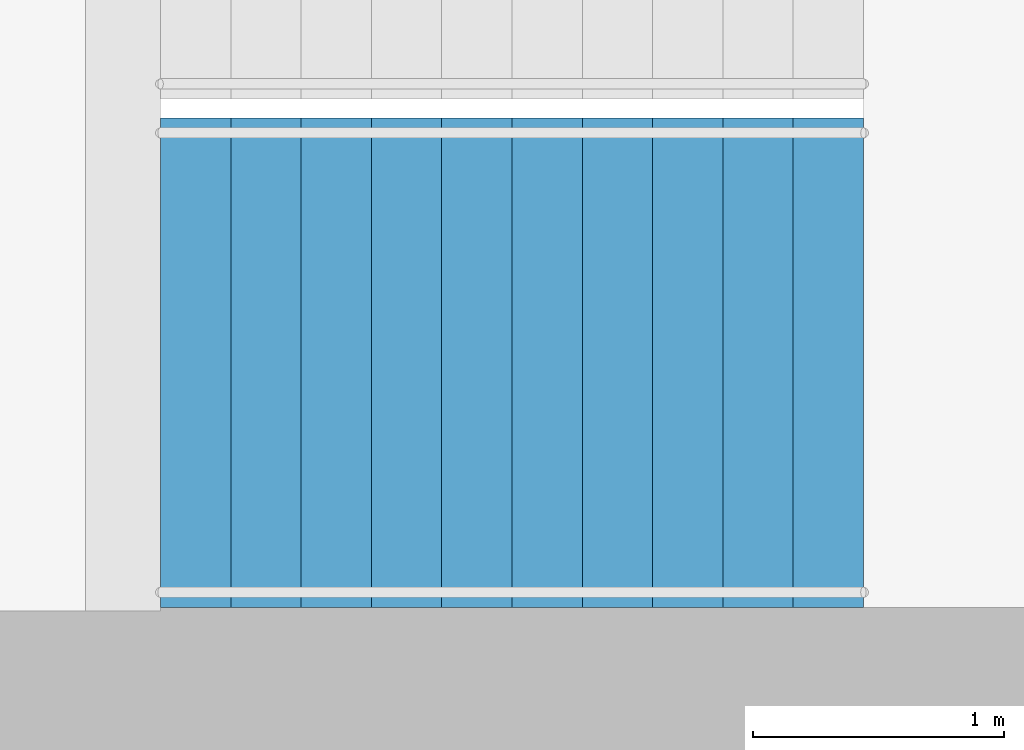
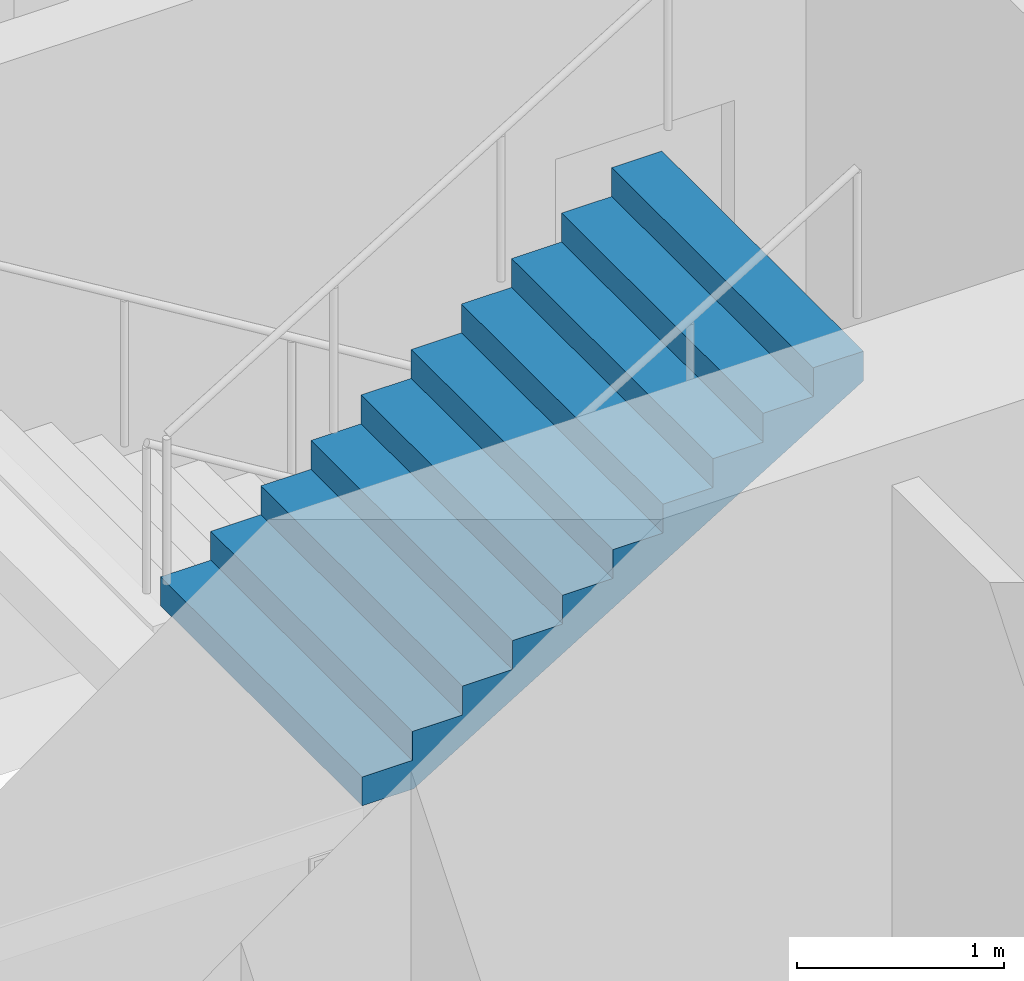
# One storey, part 22 of 25: 1 stair flight, 1 element without a shape of its own.
"""IFC4 building model written with IfcOpenShell, lengths in metres."""

from ifc_helpers import new_model, si_unit, direction, frame, origin, place, context, subcontext, project, spatial, triangles, material, type_object, element, aggregate, save


model = new_model("IFC4")

# Units and contexts
model_context = context("Model", 3, precision=1e-05, world=origin(), true_north=direction((0.0, 1.0)))
body_context = subcontext(model_context, "Body", "Model", "MODEL_VIEW")
ifc_project = project(units=[si_unit("LENGTHUNIT", "METRE"), si_unit("AREAUNIT", "SQUARE_METRE"), si_unit("VOLUMEUNIT", "CUBIC_METRE"), si_unit("PLANEANGLEUNIT", "RADIAN"), si_unit("MASSUNIT", "GRAM", prefix="KILO")], contexts=[model_context])

# Site, building, storey
site_placement = place(None, origin())
site = spatial("IfcSite", under=ifc_project, at=site_placement, CompositionType="ELEMENT")
building_placement = place(site_placement, origin())
building = spatial("IfcBuilding", under=site, at=building_placement, Name="Orbita Commons", CompositionType="ELEMENT")
storey_placement = place(building_placement, frame((0.0, 0.0, 99.39990234375)))
storey = spatial("IfcBuildingStorey", under=building, at=storey_placement, Name="L24", CompositionType="ELEMENT", Elevation=99.39990234375)

# Stair, stair flight
ifc_material_1 = material(Name="Precast concrete C40/50", Category="concrete")
stair_type = type_object("IfcStairType", Name="Exit stair S2 2 flights 11 risers 170", PredefinedType="HALF_TURN_STAIR", material=ifc_material_1)
stair_placement = place(storey_placement, origin())
stair = element("IfcStair", 1, at=stair_placement, inside=storey, type_object=stair_type, Name="Exit stair S2 L24", PredefinedType="HALF_TURN_STAIR")
ifc_material_2 = material(Name="Precast concrete C40/50", Category="concrete")
stair_flight_type = type_object("IfcStairFlightType", Name="Stair flight 11 risers 170 x 280", PredefinedType="STRAIGHT", material=ifc_material_2)
stair_flight_placement = place(storey_placement, frame((60.75, 27.25, 1.875), z_axis=(0.0, 0.0, 1.0), x_axis=(1.0, 0.0, 0.0)))
stair_flight = element("IfcStairFlight", 2, at=stair_flight_placement, type_object=stair_flight_type, Name="S2 flight 2", NumberOfRisers=11, NumberOfTreads=10, PredefinedType="STRAIGHT", RiserHeight=0.170454545, TreadLength=0.28, context=body_context, shape_type="Tessellation", body=[
    triangles([(0.0, 0.974976, 0.0), (0.0, 0.974976, 0.021307), (0.0, 0.81248, 0.021307), (0.0, 0.81248, 0.0), (0.0, 0.649984, 0.021307), (0.0, 0.649984, 0.0), (0.0, 0.487488, 0.021307), (0.0, 0.487488, 0.0), (0.0, 0.324992, 0.021307), (0.0, 0.324992, 0.0), (0.0, 0.162496, 0.021307), (0.0, 0.162496, 0.0), (0.0, 0.0, 0.021307), (0.0, 0.0, 0.0), (0.0, -0.162496, 0.021307), (0.0, -0.162496, 0.0), (0.0, -0.324992, 0.021307), (0.0, -0.324992, 0.0), (0.0, -0.487488, 0.021307), (0.0, -0.487488, 0.0), (0.0, -0.649984, 0.021307), (0.0, -0.649984, 0.0), (0.0, -0.81248, 0.021307), (0.0, -0.81248, 0.0), (0.0, -0.974976, 0.021307), (0.0, -0.974976, 0.0), (0.0, 0.974976, 0.042614), (0.0, 0.81248, 0.042614), (0.0, 0.649984, 0.042614), (0.0, 0.487488, 0.042614), (0.0, 0.324992, 0.042614), (0.0, 0.162496, 0.042614), (0.0, 0.0, 0.042614), (0.0, -0.162496, 0.042614), (0.0, -0.324992, 0.042614), (0.0, -0.487488, 0.042614), (0.0, -0.649984, 0.042614), (0.0, -0.81248, 0.042614), (0.0, -0.974976, 0.042614), (0.0, 0.974976, 0.06392), (0.0, 0.81248, 0.06392), (0.0, 0.649984, 0.06392), (0.0, 0.487488, 0.06392), (0.0, 0.324992, 0.06392), (0.0, 0.162496, 0.06392), (0.0, 0.0, 0.06392), (0.0, -0.162496, 0.06392), (0.0, -0.324992, 0.06392), (0.0, -0.487488, 0.06392), (0.0, -0.649984, 0.06392), (0.0, -0.81248, 0.06392), (0.0, -0.974976, 0.06392), (0.0, 0.974976, 0.085227), (0.0, 0.81248, 0.085227), (0.0, 0.649984, 0.085227), (0.0, 0.487488, 0.085227), (0.0, 0.324992, 0.085227), (0.0, 0.162496, 0.085227), (0.0, 0.0, 0.085227), (0.0, -0.162496, 0.085227), (0.0, -0.324992, 0.085227), (0.0, -0.487488, 0.085227), (0.0, -0.649984, 0.085227), (0.0, -0.81248, 0.085227), (0.0, -0.974976, 0.085227), (0.0, 0.974976, 0.106534), (0.0, 0.81248, 0.106534), (0.0, 0.649984, 0.106534), (0.0, 0.487488, 0.106534), (0.0, 0.324992, 0.106534), (0.0, 0.162496, 0.106534), (0.0, 0.0, 0.106534), (0.0, -0.162496, 0.106534), (0.0, -0.324992, 0.106534), (0.0, -0.487488, 0.106534), (0.0, -0.649984, 0.106534), (0.0, -0.81248, 0.106534), (0.0, -0.974976, 0.106534), (0.0, 0.974976, 0.127841), (0.0, 0.81248, 0.127841), (0.0, 0.649984, 0.127841), (0.0, 0.487488, 0.127841), (0.0, 0.324992, 0.127841), (0.0, 0.162496, 0.127841), (0.0, 0.0, 0.127841), (0.0, -0.162496, 0.127841), (0.0, -0.324992, 0.127841), (0.0, -0.487488, 0.127841), (0.0, -0.649984, 0.127841), (0.0, -0.81248, 0.127841), (0.0, -0.974976, 0.127841), (0.0, 0.974976, 0.149148), (0.0, 0.81248, 0.149148), (0.0, 0.649984, 0.149148), (0.0, 0.487488, 0.149148), (0.0, 0.324992, 0.149148), (0.0, 0.162496, 0.149148), (0.0, 0.0, 0.149148), (0.0, -0.162496, 0.149148), (0.0, -0.324992, 0.149148), (0.0, -0.487488, 0.149148), (0.0, -0.649984, 0.149148), (0.0, -0.81248, 0.149148), (0.0, -0.974976, 0.149148), (0.0, 0.974976, 0.170455), (0.0, 0.81248, 0.170455), (0.0, 0.649984, 0.170455), (0.0, 0.487488, 0.170455), (0.0, 0.324992, 0.170455), (0.0, 0.162496, 0.170455), (0.0, 0.0, 0.170455), (0.0, -0.162496, 0.170455), (0.0, -0.324992, 0.170455), (0.0, -0.487488, 0.170455), (0.0, -0.649984, 0.170455), (0.0, -0.81248, 0.170455), (0.0, -0.974976, 0.170455), (0.28, 0.974976, 0.170455), (0.28, 0.81248, 0.170455), (0.28, 0.649984, 0.170455), (0.28, 0.487488, 0.170455), (0.28, 0.324992, 0.170455), (0.28, 0.162496, 0.170455), (0.28, 0.0, 0.170455), (0.28, -0.162496, 0.170455), (0.28, -0.324992, 0.170455), (0.28, -0.487488, 0.170455), (0.28, -0.649984, 0.170455), (0.28, -0.81248, 0.170455), (0.28, -0.974976, 0.170455), (0.28, 0.974976, 0.340909), (0.28, 0.81248, 0.340909), (0.28, 0.649984, 0.340909), (0.28, 0.487488, 0.340909), (0.28, 0.324992, 0.340909), (0.28, 0.162496, 0.340909), (0.28, 0.0, 0.340909), (0.28, -0.162496, 0.340909), (0.28, -0.324992, 0.340909), (0.28, -0.487488, 0.340909), (0.28, -0.649984, 0.340909), (0.28, -0.81248, 0.340909), (0.28, -0.974976, 0.340909), (0.56, 0.974976, 0.340909), (0.56, 0.81248, 0.340909), (0.56, 0.649984, 0.340909), (0.56, 0.487488, 0.340909), (0.56, 0.324992, 0.340909), (0.56, 0.162496, 0.340909), (0.56, 0.0, 0.340909), (0.56, -0.162496, 0.340909), (0.56, -0.324992, 0.340909), (0.56, -0.487488, 0.340909), (0.56, -0.649984, 0.340909), (0.56, -0.81248, 0.340909), (0.56, -0.974976, 0.340909), (0.56, 0.974976, 0.511364), (0.56, 0.81248, 0.511364), (0.56, 0.649984, 0.511364), (0.56, 0.487488, 0.511364), (0.56, 0.324992, 0.511364), (0.56, 0.162496, 0.511364), (0.56, 0.0, 0.511364), (0.56, -0.162496, 0.511364), (0.56, -0.324992, 0.511364), (0.56, -0.487488, 0.511364), (0.56, -0.649984, 0.511364), (0.56, -0.81248, 0.511364), (0.56, -0.974976, 0.511364), (0.84, 0.974976, 0.511364), (0.84, 0.81248, 0.511364), (0.84, 0.649984, 0.511364), (0.84, 0.487488, 0.511364), (0.84, 0.324992, 0.511364), (0.84, 0.162496, 0.511364), (0.84, 0.0, 0.511364), (0.84, -0.162496, 0.511364), (0.84, -0.324992, 0.511364), (0.84, -0.487488, 0.511364), (0.84, -0.649984, 0.511364), (0.84, -0.81248, 0.511364), (0.84, -0.974976, 0.511364), (0.84, 0.974976, 0.681818), (0.84, 0.81248, 0.681818), (0.84, 0.649984, 0.681818), (0.84, 0.487488, 0.681818), (0.84, 0.324992, 0.681818), (0.84, 0.162496, 0.681818), (0.84, 0.0, 0.681818), (0.84, -0.162496, 0.681818), (0.84, -0.324992, 0.681818), (0.84, -0.487488, 0.681818), (0.84, -0.649984, 0.681818), (0.84, -0.81248, 0.681818), (0.84, -0.974976, 0.681818), (1.12, 0.974976, 0.681818), (1.12, 0.81248, 0.681818), (1.12, 0.649984, 0.681818), (1.12, 0.487488, 0.681818), (1.12, 0.324992, 0.681818), (1.12, 0.162496, 0.681818), (1.12, 0.0, 0.681818), (1.12, -0.162496, 0.681818), (1.12, -0.324992, 0.681818), (1.12, -0.487488, 0.681818), (1.12, -0.649984, 0.681818), (1.12, -0.81248, 0.681818), (1.12, -0.974976, 0.681818), (1.12, 0.974976, 0.852273), (1.12, 0.81248, 0.852273), (1.12, 0.649984, 0.852273), (1.12, 0.487488, 0.852273), (1.12, 0.324992, 0.852273), (1.12, 0.162496, 0.852273), (1.12, 0.0, 0.852273), (1.12, -0.162496, 0.852273), (1.12, -0.324992, 0.852273), (1.12, -0.487488, 0.852273), (1.12, -0.649984, 0.852273), (1.12, -0.81248, 0.852273), (1.12, -0.974976, 0.852273), (1.4, 0.974976, 0.852273), (1.4, 0.81248, 0.852273), (1.4, 0.649984, 0.852273), (1.4, 0.487488, 0.852273), (1.4, 0.324992, 0.852273), (1.4, 0.162496, 0.852273), (1.4, 0.0, 0.852273), (1.4, -0.162496, 0.852273), (1.4, -0.324992, 0.852273), (1.4, -0.487488, 0.852273), (1.4, -0.649984, 0.852273), (1.4, -0.81248, 0.852273), (1.4, -0.974976, 0.852273), (1.4, 0.974976, 1.022727), (1.4, 0.81248, 1.022727), (1.4, 0.649984, 1.022727), (1.4, 0.487488, 1.022727), (1.4, 0.324992, 1.022727), (1.4, 0.162496, 1.022727), (1.4, 0.0, 1.022727), (1.4, -0.162496, 1.022727), (1.4, -0.324992, 1.022727), (1.4, -0.487488, 1.022727), (1.4, -0.649984, 1.022727), (1.4, -0.81248, 1.022727), (1.4, -0.974976, 1.022727), (1.68, 0.974976, 1.022727), (1.68, 0.81248, 1.022727), (1.68, 0.649984, 1.022727), (1.68, 0.487488, 1.022727), (1.68, 0.324992, 1.022727), (1.68, 0.162496, 1.022727), (1.68, 0.0, 1.022727), (1.68, -0.162496, 1.022727), (1.68, -0.324992, 1.022727), (1.68, -0.487488, 1.022727), (1.68, -0.649984, 1.022727), (1.68, -0.81248, 1.022727), (1.68, -0.974976, 1.022727), (1.68, 0.974976, 1.193182), (1.68, 0.81248, 1.193182), (1.68, 0.649984, 1.193182), (1.68, 0.487488, 1.193182), (1.68, 0.324992, 1.193182), (1.68, 0.162496, 1.193182), (1.68, 0.0, 1.193182), (1.68, -0.162496, 1.193182), (1.68, -0.324992, 1.193182), (1.68, -0.487488, 1.193182), (1.68, -0.649984, 1.193182), (1.68, -0.81248, 1.193182), (1.68, -0.974976, 1.193182), (1.96, 0.974976, 1.193182), (1.96, 0.81248, 1.193182), (1.96, 0.649984, 1.193182), (1.96, 0.487488, 1.193182), (1.96, 0.324992, 1.193182), (1.96, 0.162496, 1.193182), (1.96, 0.0, 1.193182), (1.96, -0.162496, 1.193182), (1.96, -0.324992, 1.193182), (1.96, -0.487488, 1.193182), (1.96, -0.649984, 1.193182), (1.96, -0.81248, 1.193182), (1.96, -0.974976, 1.193182), (1.96, 0.974976, 1.363636), (1.96, 0.81248, 1.363636), (1.96, 0.649984, 1.363636), (1.96, 0.487488, 1.363636), (1.96, 0.324992, 1.363636), (1.96, 0.162496, 1.363636), (1.96, 0.0, 1.363636), (1.96, -0.162496, 1.363636), (1.96, -0.324992, 1.363636), (1.96, -0.487488, 1.363636), (1.96, -0.649984, 1.363636), (1.96, -0.81248, 1.363636), (1.96, -0.974976, 1.363636), (2.24, 0.974976, 1.363636), (2.24, 0.81248, 1.363636), (2.24, 0.649984, 1.363636), (2.24, 0.487488, 1.363636), (2.24, 0.324992, 1.363636), (2.24, 0.162496, 1.363636), (2.24, 0.0, 1.363636), (2.24, -0.162496, 1.363636), (2.24, -0.324992, 1.363636), (2.24, -0.487488, 1.363636), (2.24, -0.649984, 1.363636), (2.24, -0.81248, 1.363636), (2.24, -0.974976, 1.363636), (2.24, 0.974976, 1.534091), (2.24, 0.81248, 1.534091), (2.24, 0.649984, 1.534091), (2.24, 0.487488, 1.534091), (2.24, 0.324992, 1.534091), (2.24, 0.162496, 1.534091), (2.24, 0.0, 1.534091), (2.24, -0.162496, 1.534091), (2.24, -0.324992, 1.534091), (2.24, -0.487488, 1.534091), (2.24, -0.649984, 1.534091), (2.24, -0.81248, 1.534091), (2.24, -0.974976, 1.534091), (2.52, 0.974976, 1.534091), (2.52, 0.81248, 1.534091), (2.52, 0.649984, 1.534091), (2.52, 0.487488, 1.534091), (2.52, 0.324992, 1.534091), (2.52, 0.162496, 1.534091), (2.52, 0.0, 1.534091), (2.52, -0.162496, 1.534091), (2.52, -0.324992, 1.534091), (2.52, -0.487488, 1.534091), (2.52, -0.649984, 1.534091), (2.52, -0.81248, 1.534091), (2.52, -0.974976, 1.534091), (2.52, 0.974976, 1.704545), (2.52, 0.81248, 1.704545), (2.52, 0.649984, 1.704545), (2.52, 0.487488, 1.704545), (2.52, 0.324992, 1.704545), (2.52, 0.162496, 1.704545), (2.52, 0.0, 1.704545), (2.52, -0.162496, 1.704545), (2.52, -0.324992, 1.704545), (2.52, -0.487488, 1.704545), (2.52, -0.649984, 1.704545), (2.52, -0.81248, 1.704545), (2.52, -0.974976, 1.704545), (2.8, 0.974976, 1.704545), (2.8, 0.81248, 1.704545), (2.8, 0.649984, 1.704545), (2.8, 0.487488, 1.704545), (2.8, 0.324992, 1.704545), (2.8, 0.162496, 1.704545), (2.8, 0.0, 1.704545), (2.8, -0.162496, 1.704545), (2.8, -0.324992, 1.704545), (2.8, -0.487488, 1.704545), (2.8, -0.649984, 1.704545), (2.8, -0.81248, 1.704545), (2.8, -0.974976, 1.704545), (2.8, 0.974976, 1.682609), (2.8, 0.81248, 1.682609), (2.8, 0.649984, 1.682609), (2.8, 0.487488, 1.682609), (2.8, 0.324992, 1.682609), (2.8, 0.162496, 1.682609), (2.8, 0.0, 1.682609), (2.8, -0.162496, 1.682609), (2.8, -0.324992, 1.682609), (2.8, -0.487488, 1.682609), (2.8, -0.649984, 1.682609), (2.8, -0.81248, 1.682609), (2.8, -0.974976, 1.682609), (2.8, 0.974976, 1.660672), (2.8, 0.81248, 1.660672), (2.8, 0.649984, 1.660672), (2.8, 0.487488, 1.660672), (2.8, 0.324992, 1.660672), (2.8, 0.162496, 1.660672), (2.8, 0.0, 1.660672), (2.8, -0.162496, 1.660672), (2.8, -0.324992, 1.660672), (2.8, -0.487488, 1.660672), (2.8, -0.649984, 1.660672), (2.8, -0.81248, 1.660672), (2.8, -0.974976, 1.660672), (2.8, 0.974976, 1.638735), (2.8, 0.81248, 1.638735), (2.8, 0.649984, 1.638735), (2.8, 0.487488, 1.638735), (2.8, 0.324992, 1.638735), (2.8, 0.162496, 1.638735), (2.8, 0.0, 1.638735), (2.8, -0.162496, 1.638735), (2.8, -0.324992, 1.638735), (2.8, -0.487488, 1.638735), (2.8, -0.649984, 1.638735), (2.8, -0.81248, 1.638735), (2.8, -0.974976, 1.638735), (2.8, 0.974976, 1.616798), (2.8, 0.81248, 1.616798), (2.8, 0.649984, 1.616798), (2.8, 0.487488, 1.616798), (2.8, 0.324992, 1.616798), (2.8, 0.162496, 1.616798), (2.8, 0.0, 1.616798), (2.8, -0.162496, 1.616798), (2.8, -0.324992, 1.616798), (2.8, -0.487488, 1.616798), (2.8, -0.649984, 1.616798), (2.8, -0.81248, 1.616798), (2.8, -0.974976, 1.616798), (2.8, 0.974976, 1.594861), (2.8, 0.81248, 1.594861), (2.8, 0.649984, 1.594861), (2.8, 0.487488, 1.594861), (2.8, 0.324992, 1.594861), (2.8, 0.162496, 1.594861), (2.8, 0.0, 1.594861), (2.8, -0.162496, 1.594861), (2.8, -0.324992, 1.594861), (2.8, -0.487488, 1.594861), (2.8, -0.649984, 1.594861), (2.8, -0.81248, 1.594861), (2.8, -0.974976, 1.594861), (2.8, 0.974976, 1.572925), (2.8, 0.81248, 1.572925), (2.8, 0.649984, 1.572925), (2.8, 0.487488, 1.572925), (2.8, 0.324992, 1.572925), (2.8, 0.162496, 1.572925), (2.8, 0.0, 1.572925), (2.8, -0.162496, 1.572925), (2.8, -0.324992, 1.572925), (2.8, -0.487488, 1.572925), (2.8, -0.649984, 1.572925), (2.8, -0.81248, 1.572925), (2.8, -0.974976, 1.572925), (2.8, 0.974976, 1.550988), (2.8, 0.81248, 1.550988), (2.8, 0.649984, 1.550988), (2.8, 0.487488, 1.550988), (2.8, 0.324992, 1.550988), (2.8, 0.162496, 1.550988), (2.8, 0.0, 1.550988), (2.8, -0.162496, 1.550988), (2.8, -0.324992, 1.550988), (2.8, -0.487488, 1.550988), (2.8, -0.649984, 1.550988), (2.8, -0.81248, 1.550988), (2.8, -0.974976, 1.550988), (2.8, 0.974976, 1.529051), (2.8, 0.81248, 1.529051), (2.8, 0.649984, 1.529051), (2.8, 0.487488, 1.529051), (2.8, 0.324992, 1.529051), (2.8, 0.162496, 1.529051), (2.8, 0.0, 1.529051), (2.8, -0.162496, 1.529051), (2.8, -0.324992, 1.529051), (2.8, -0.487488, 1.529051), (2.8, -0.649984, 1.529051), (2.8, -0.81248, 1.529051), (2.8, -0.974976, 1.529051), (0.288279, 0.974976, 0.0), (0.288279, 0.81248, 0.0), (0.288279, 0.649984, 0.0), (0.288279, 0.487488, 0.0), (0.288279, 0.324992, 0.0), (0.288279, 0.162496, 0.0), (0.288279, 0.0, 0.0), (0.288279, -0.162496, 0.0), (0.288279, -0.324992, 0.0), (0.288279, -0.487488, 0.0), (0.288279, -0.649984, 0.0), (0.288279, -0.81248, 0.0), (0.288279, -0.974976, 0.0)], [[3, 2, 1], [4, 3, 1], [5, 3, 4], [6, 5, 4], [7, 5, 6], [8, 7, 6], [9, 7, 8], [10, 9, 8], [11, 9, 10], [12, 11, 10], [13, 11, 12], [14, 13, 12], [15, 13, 14], [16, 15, 14], [17, 15, 16], [18, 17, 16], [19, 17, 18], [20, 19, 18], [21, 19, 20], [22, 21, 20], [23, 21, 22], [24, 23, 22], [25, 23, 24], [26, 25, 24], [28, 27, 2], [3, 28, 2], [29, 28, 3], [5, 29, 3], [30, 29, 5], [7, 30, 5], [31, 30, 7], [9, 31, 7], [32, 31, 9], [11, 32, 9], [33, 32, 11], [13, 33, 11], [34, 33, 13], [15, 34, 13], [35, 34, 15], [17, 35, 15], [36, 35, 17], [19, 36, 17], [37, 36, 19], [21, 37, 19], [38, 37, 21], [23, 38, 21], [39, 38, 23], [25, 39, 23], [41, 40, 27], [28, 41, 27], [42, 41, 28], [29, 42, 28], [43, 42, 29], [30, 43, 29], [44, 43, 30], [31, 44, 30], [45, 44, 31], [32, 45, 31], [46, 45, 32], [33, 46, 32], [47, 46, 33], [34, 47, 33], [48, 47, 34], [35, 48, 34], [49, 48, 35], [36, 49, 35], [50, 49, 36], [37, 50, 36], [51, 50, 37], [38, 51, 37], [52, 51, 38], [39, 52, 38], [54, 53, 40], [41, 54, 40], [55, 54, 41], [42, 55, 41], [56, 55, 42], [43, 56, 42], [57, 56, 43], [44, 57, 43], [58, 57, 44], [45, 58, 44], [59, 58, 45], [46, 59, 45], [60, 59, 46], [47, 60, 46], [61, 60, 47], [48, 61, 47], [62, 61, 48], [49, 62, 48], [63, 62, 49], [50, 63, 49], [64, 63, 50], [51, 64, 50], [65, 64, 51], [52, 65, 51], [67, 66, 53], [54, 67, 53], [68, 67, 54], [55, 68, 54], [69, 68, 55], [56, 69, 55], [70, 69, 56], [57, 70, 56], [71, 70, 57], [58, 71, 57], [72, 71, 58], [59, 72, 58], [73, 72, 59], [60, 73, 59], [74, 73, 60], [61, 74, 60], [75, 74, 61], [62, 75, 61], [76, 75, 62], [63, 76, 62], [77, 76, 63], [64, 77, 63], [78, 77, 64], [65, 78, 64], [80, 79, 66], [67, 80, 66], [81, 80, 67], [68, 81, 67], [82, 81, 68], [69, 82, 68], [83, 82, 69], [70, 83, 69], [84, 83, 70], [71, 84, 70], [85, 84, 71], [72, 85, 71], [86, 85, 72], [73, 86, 72], [87, 86, 73], [74, 87, 73], [88, 87, 74], [75, 88, 74], [89, 88, 75], [76, 89, 75], [90, 89, 76], [77, 90, 76], [91, 90, 77], [78, 91, 77], [93, 92, 79], [80, 93, 79], [94, 93, 80], [81, 94, 80], [95, 94, 81], [82, 95, 81], [96, 95, 82], [83, 96, 82], [97, 96, 83], [84, 97, 83], [98, 97, 84], [85, 98, 84], [99, 98, 85], [86, 99, 85], [100, 99, 86], [87, 100, 86], [101, 100, 87], [88, 101, 87], [102, 101, 88], [89, 102, 88], [103, 102, 89], [90, 103, 89], [104, 103, 90], [91, 104, 90], [106, 105, 92], [93, 106, 92], [107, 106, 93], [94, 107, 93], [108, 107, 94], [95, 108, 94], [109, 108, 95], [96, 109, 95], [110, 109, 96], [97, 110, 96], [111, 110, 97], [98, 111, 97], [112, 111, 98], [99, 112, 98], [113, 112, 99], [100, 113, 99], [114, 113, 100], [101, 114, 100], [115, 114, 101], [102, 115, 101], [116, 115, 102], [103, 116, 102], [117, 116, 103], [104, 117, 103], [119, 118, 105], [106, 119, 105], [120, 119, 106], [107, 120, 106], [121, 120, 107], [108, 121, 107], [122, 121, 108], [109, 122, 108], [123, 122, 109], [110, 123, 109], [124, 123, 110], [111, 124, 110], [125, 124, 111], [112, 125, 111], [126, 125, 112], [113, 126, 112], [127, 126, 113], [114, 127, 113], [128, 127, 114], [115, 128, 114], [129, 128, 115], [116, 129, 115], [130, 129, 116], [117, 130, 116], [132, 131, 118], [119, 132, 118], [133, 132, 119], [120, 133, 119], [134, 133, 120], [121, 134, 120], [135, 134, 121], [122, 135, 121], [136, 135, 122], [123, 136, 122], [137, 136, 123], [124, 137, 123], [138, 137, 124], [125, 138, 124], [139, 138, 125], [126, 139, 125], [140, 139, 126], [127, 140, 126], [141, 140, 127], [128, 141, 127], [142, 141, 128], [129, 142, 128], [143, 142, 129], [130, 143, 129], [145, 144, 131], [132, 145, 131], [146, 145, 132], [133, 146, 132], [147, 146, 133], [134, 147, 133], [148, 147, 134], [135, 148, 134], [149, 148, 135], [136, 149, 135], [150, 149, 136], [137, 150, 136], [151, 150, 137], [138, 151, 137], [152, 151, 138], [139, 152, 138], [153, 152, 139], [140, 153, 139], [154, 153, 140], [141, 154, 140], [155, 154, 141], [142, 155, 141], [156, 155, 142], [143, 156, 142], [158, 157, 144], [145, 158, 144], [159, 158, 145], [146, 159, 145], [160, 159, 146], [147, 160, 146], [161, 160, 147], [148, 161, 147], [162, 161, 148], [149, 162, 148], [163, 162, 149], [150, 163, 149], [164, 163, 150], [151, 164, 150], [165, 164, 151], [152, 165, 151], [166, 165, 152], [153, 166, 152], [167, 166, 153], [154, 167, 153], [168, 167, 154], [155, 168, 154], [169, 168, 155], [156, 169, 155], [171, 170, 157], [158, 171, 157], [172, 171, 158], [159, 172, 158], [173, 172, 159], [160, 173, 159], [174, 173, 160], [161, 174, 160], [175, 174, 161], [162, 175, 161], [176, 175, 162], [163, 176, 162], [177, 176, 163], [164, 177, 163], [178, 177, 164], [165, 178, 164], [179, 178, 165], [166, 179, 165], [180, 179, 166], [167, 180, 166], [181, 180, 167], [168, 181, 167], [182, 181, 168], [169, 182, 168], [184, 183, 170], [171, 184, 170], [185, 184, 171], [172, 185, 171], [186, 185, 172], [173, 186, 172], [187, 186, 173], [174, 187, 173], [188, 187, 174], [175, 188, 174], [189, 188, 175], [176, 189, 175], [190, 189, 176], [177, 190, 176], [191, 190, 177], [178, 191, 177], [192, 191, 178], [179, 192, 178], [193, 192, 179], [180, 193, 179], [194, 193, 180], [181, 194, 180], [195, 194, 181], [182, 195, 181], [197, 196, 183], [184, 197, 183], [198, 197, 184], [185, 198, 184], [199, 198, 185], [186, 199, 185], [200, 199, 186], [187, 200, 186], [201, 200, 187], [188, 201, 187], [202, 201, 188], [189, 202, 188], [203, 202, 189], [190, 203, 189], [204, 203, 190], [191, 204, 190], [205, 204, 191], [192, 205, 191], [206, 205, 192], [193, 206, 192], [207, 206, 193], [194, 207, 193], [208, 207, 194], [195, 208, 194], [210, 209, 196], [197, 210, 196], [211, 210, 197], [198, 211, 197], [212, 211, 198], [199, 212, 198], [213, 212, 199], [200, 213, 199], [214, 213, 200], [201, 214, 200], [215, 214, 201], [202, 215, 201], [216, 215, 202], [203, 216, 202], [217, 216, 203], [204, 217, 203], [218, 217, 204], [205, 218, 204], [219, 218, 205], [206, 219, 205], [220, 219, 206], [207, 220, 206], [221, 220, 207], [208, 221, 207], [223, 222, 209], [210, 223, 209], [224, 223, 210], [211, 224, 210], [225, 224, 211], [212, 225, 211], [226, 225, 212], [213, 226, 212], [227, 226, 213], [214, 227, 213], [228, 227, 214], [215, 228, 214], [229, 228, 215], [216, 229, 215], [230, 229, 216], [217, 230, 216], [231, 230, 217], [218, 231, 217], [232, 231, 218], [219, 232, 218], [233, 232, 219], [220, 233, 219], [234, 233, 220], [221, 234, 220], [236, 235, 222], [223, 236, 222], [237, 236, 223], [224, 237, 223], [238, 237, 224], [225, 238, 224], [239, 238, 225], [226, 239, 225], [240, 239, 226], [227, 240, 226], [241, 240, 227], [228, 241, 227], [242, 241, 228], [229, 242, 228], [243, 242, 229], [230, 243, 229], [244, 243, 230], [231, 244, 230], [245, 244, 231], [232, 245, 231], [246, 245, 232], [233, 246, 232], [247, 246, 233], [234, 247, 233], [249, 248, 235], [236, 249, 235], [250, 249, 236], [237, 250, 236], [251, 250, 237], [238, 251, 237], [252, 251, 238], [239, 252, 238], [253, 252, 239], [240, 253, 239], [254, 253, 240], [241, 254, 240], [255, 254, 241], [242, 255, 241], [256, 255, 242], [243, 256, 242], [257, 256, 243], [244, 257, 243], [258, 257, 244], [245, 258, 244], [259, 258, 245], [246, 259, 245], [260, 259, 246], [247, 260, 246], [262, 261, 248], [249, 262, 248], [263, 262, 249], [250, 263, 249], [264, 263, 250], [251, 264, 250], [265, 264, 251], [252, 265, 251], [266, 265, 252], [253, 266, 252], [267, 266, 253], [254, 267, 253], [268, 267, 254], [255, 268, 254], [269, 268, 255], [256, 269, 255], [270, 269, 256], [257, 270, 256], [271, 270, 257], [258, 271, 257], [272, 271, 258], [259, 272, 258], [273, 272, 259], [260, 273, 259], [275, 274, 261], [262, 275, 261], [276, 275, 262], [263, 276, 262], [277, 276, 263], [264, 277, 263], [278, 277, 264], [265, 278, 264], [279, 278, 265], [266, 279, 265], [280, 279, 266], [267, 280, 266], [281, 280, 267], [268, 281, 267], [282, 281, 268], [269, 282, 268], [283, 282, 269], [270, 283, 269], [284, 283, 270], [271, 284, 270], [285, 284, 271], [272, 285, 271], [286, 285, 272], [273, 286, 272], [288, 287, 274], [275, 288, 274], [289, 288, 275], [276, 289, 275], [290, 289, 276], [277, 290, 276], [291, 290, 277], [278, 291, 277], [292, 291, 278], [279, 292, 278], [293, 292, 279], [280, 293, 279], [294, 293, 280], [281, 294, 280], [295, 294, 281], [282, 295, 281], [296, 295, 282], [283, 296, 282], [297, 296, 283], [284, 297, 283], [298, 297, 284], [285, 298, 284], [299, 298, 285], [286, 299, 285], [301, 300, 287], [288, 301, 287], [302, 301, 288], [289, 302, 288], [303, 302, 289], [290, 303, 289], [304, 303, 290], [291, 304, 290], [305, 304, 291], [292, 305, 291], [306, 305, 292], [293, 306, 292], [307, 306, 293], [294, 307, 293], [308, 307, 294], [295, 308, 294], [309, 308, 295], [296, 309, 295], [310, 309, 296], [297, 310, 296], [311, 310, 297], [298, 311, 297], [312, 311, 298], [299, 312, 298], [314, 313, 300], [301, 314, 300], [315, 314, 301], [302, 315, 301], [316, 315, 302], [303, 316, 302], [317, 316, 303], [304, 317, 303], [318, 317, 304], [305, 318, 304], [319, 318, 305], [306, 319, 305], [320, 319, 306], [307, 320, 306], [321, 320, 307], [308, 321, 307], [322, 321, 308], [309, 322, 308], [323, 322, 309], [310, 323, 309], [324, 323, 310], [311, 324, 310], [325, 324, 311], [312, 325, 311], [327, 326, 313], [314, 327, 313], [328, 327, 314], [315, 328, 314], [329, 328, 315], [316, 329, 315], [330, 329, 316], [317, 330, 316], [331, 330, 317], [318, 331, 317], [332, 331, 318], [319, 332, 318], [333, 332, 319], [320, 333, 319], [334, 333, 320], [321, 334, 320], [335, 334, 321], [322, 335, 321], [336, 335, 322], [323, 336, 322], [337, 336, 323], [324, 337, 323], [338, 337, 324], [325, 338, 324], [340, 339, 326], [327, 340, 326], [341, 340, 327], [328, 341, 327], [342, 341, 328], [329, 342, 328], [343, 342, 329], [330, 343, 329], [344, 343, 330], [331, 344, 330], [345, 344, 331], [332, 345, 331], [346, 345, 332], [333, 346, 332], [347, 346, 333], [334, 347, 333], [348, 347, 334], [335, 348, 334], [349, 348, 335], [336, 349, 335], [350, 349, 336], [337, 350, 336], [351, 350, 337], [338, 351, 337], [353, 352, 339], [340, 353, 339], [354, 353, 340], [341, 354, 340], [355, 354, 341], [342, 355, 341], [356, 355, 342], [343, 356, 342], [357, 356, 343], [344, 357, 343], [358, 357, 344], [345, 358, 344], [359, 358, 345], [346, 359, 345], [360, 359, 346], [347, 360, 346], [361, 360, 347], [348, 361, 347], [362, 361, 348], [349, 362, 348], [363, 362, 349], [350, 363, 349], [364, 363, 350], [351, 364, 350], [366, 365, 352], [353, 366, 352], [367, 366, 353], [354, 367, 353], [368, 367, 354], [355, 368, 354], [369, 368, 355], [356, 369, 355], [370, 369, 356], [357, 370, 356], [371, 370, 357], [358, 371, 357], [372, 371, 358], [359, 372, 358], [373, 372, 359], [360, 373, 359], [374, 373, 360], [361, 374, 360], [375, 374, 361], [362, 375, 361], [376, 375, 362], [363, 376, 362], [377, 376, 363], [364, 377, 363], [379, 378, 365], [366, 379, 365], [380, 379, 366], [367, 380, 366], [381, 380, 367], [368, 381, 367], [382, 381, 368], [369, 382, 368], [383, 382, 369], [370, 383, 369], [384, 383, 370], [371, 384, 370], [385, 384, 371], [372, 385, 371], [386, 385, 372], [373, 386, 372], [387, 386, 373], [374, 387, 373], [388, 387, 374], [375, 388, 374], [389, 388, 375], [376, 389, 375], [390, 389, 376], [377, 390, 376], [392, 391, 378], [379, 392, 378], [393, 392, 379], [380, 393, 379], [394, 393, 380], [381, 394, 380], [395, 394, 381], [382, 395, 381], [396, 395, 382], [383, 396, 382], [397, 396, 383], [384, 397, 383], [398, 397, 384], [385, 398, 384], [399, 398, 385], [386, 399, 385], [400, 399, 386], [387, 400, 386], [401, 400, 387], [388, 401, 387], [402, 401, 388], [389, 402, 388], [403, 402, 389], [390, 403, 389], [405, 404, 391], [392, 405, 391], [406, 405, 392], [393, 406, 392], [407, 406, 393], [394, 407, 393], [408, 407, 394], [395, 408, 394], [409, 408, 395], [396, 409, 395], [410, 409, 396], [397, 410, 396], [411, 410, 397], [398, 411, 397], [412, 411, 398], [399, 412, 398], [413, 412, 399], [400, 413, 399], [414, 413, 400], [401, 414, 400], [415, 414, 401], [402, 415, 401], [416, 415, 402], [403, 416, 402], [418, 417, 404], [405, 418, 404], [419, 418, 405], [406, 419, 405], [420, 419, 406], [407, 420, 406], [421, 420, 407], [408, 421, 407], [422, 421, 408], [409, 422, 408], [423, 422, 409], [410, 423, 409], [424, 423, 410], [411, 424, 410], [425, 424, 411], [412, 425, 411], [426, 425, 412], [413, 426, 412], [427, 426, 413], [414, 427, 413], [428, 427, 414], [415, 428, 414], [429, 428, 415], [416, 429, 415], [431, 430, 417], [418, 431, 417], [432, 431, 418], [419, 432, 418], [433, 432, 419], [420, 433, 419], [434, 433, 420], [421, 434, 420], [435, 434, 421], [422, 435, 421], [436, 435, 422], [423, 436, 422], [437, 436, 423], [424, 437, 423], [438, 437, 424], [425, 438, 424], [439, 438, 425], [426, 439, 425], [440, 439, 426], [427, 440, 426], [441, 440, 427], [428, 441, 427], [442, 441, 428], [429, 442, 428], [444, 443, 430], [431, 444, 430], [445, 444, 431], [432, 445, 431], [446, 445, 432], [433, 446, 432], [447, 446, 433], [434, 447, 433], [448, 447, 434], [435, 448, 434], [449, 448, 435], [436, 449, 435], [450, 449, 436], [437, 450, 436], [451, 450, 437], [438, 451, 437], [452, 451, 438], [439, 452, 438], [453, 452, 439], [440, 453, 439], [454, 453, 440], [441, 454, 440], [455, 454, 441], [442, 455, 441], [457, 456, 443], [444, 457, 443], [458, 457, 444], [445, 458, 444], [459, 458, 445], [446, 459, 445], [460, 459, 446], [447, 460, 446], [461, 460, 447], [448, 461, 447], [462, 461, 448], [449, 462, 448], [463, 462, 449], [450, 463, 449], [464, 463, 450], [451, 464, 450], [465, 464, 451], [452, 465, 451], [466, 465, 452], [453, 466, 452], [467, 466, 453], [454, 467, 453], [468, 467, 454], [455, 468, 454], [470, 469, 456], [457, 470, 456], [471, 470, 457], [458, 471, 457], [472, 471, 458], [459, 472, 458], [473, 472, 459], [460, 473, 459], [474, 473, 460], [461, 474, 460], [475, 474, 461], [462, 475, 461], [476, 475, 462], [463, 476, 462], [477, 476, 463], [464, 477, 463], [478, 477, 464], [465, 478, 464], [479, 478, 465], [466, 479, 465], [480, 479, 466], [467, 480, 466], [481, 480, 467], [468, 481, 467], [4, 1, 469], [470, 4, 469], [6, 4, 470], [471, 6, 470], [8, 6, 471], [472, 8, 471], [10, 8, 472], [473, 10, 472], [12, 10, 473], [474, 12, 473], [14, 12, 474], [475, 14, 474], [16, 14, 475], [476, 16, 475], [18, 16, 476], [477, 18, 476], [20, 18, 477], [478, 20, 477], [22, 20, 478], [479, 22, 478], [24, 22, 479], [480, 24, 479], [26, 24, 480], [481, 26, 480], [456, 469, 1], [26, 481, 468], [443, 456, 1], [26, 468, 455], [430, 443, 1], [26, 455, 442], [417, 430, 1], [26, 442, 429], [404, 417, 1], [26, 429, 416], [391, 404, 1], [26, 416, 403], [378, 391, 1], [26, 403, 390], [365, 378, 1], [26, 390, 377], [339, 352, 365], [377, 364, 351], [326, 339, 365], [377, 351, 338], [300, 313, 326], [338, 325, 312], [300, 326, 365], [377, 338, 312], [274, 287, 300], [312, 299, 286], [274, 300, 365], [377, 312, 286], [248, 261, 274], [286, 273, 260], [248, 274, 365], [377, 286, 260], [222, 235, 248], [260, 247, 234], [222, 248, 365], [377, 260, 234], [196, 209, 222], [234, 221, 208], [196, 222, 365], [377, 234, 208], [170, 183, 196], [208, 195, 182], [170, 196, 365], [377, 208, 182], [144, 157, 170], [182, 169, 156], [144, 170, 365], [377, 182, 156], [118, 131, 144], [156, 143, 130], [118, 144, 365], [377, 156, 130], [118, 365, 1], [26, 377, 130], [92, 105, 118], [130, 117, 104], [79, 92, 118], [130, 104, 91], [66, 79, 118], [130, 91, 78], [53, 66, 118], [130, 78, 65], [40, 53, 118], [130, 65, 52], [27, 40, 118], [130, 52, 39], [2, 27, 118], [130, 39, 25], [1, 2, 118], [130, 25, 26]], closed=True),
])
aggregate(stair, [stair_flight])

save(model, "model.ifc")
